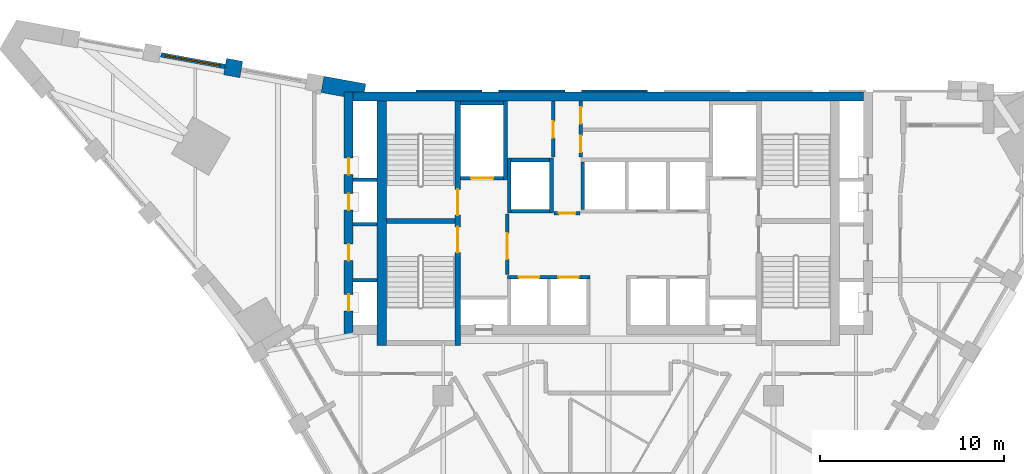
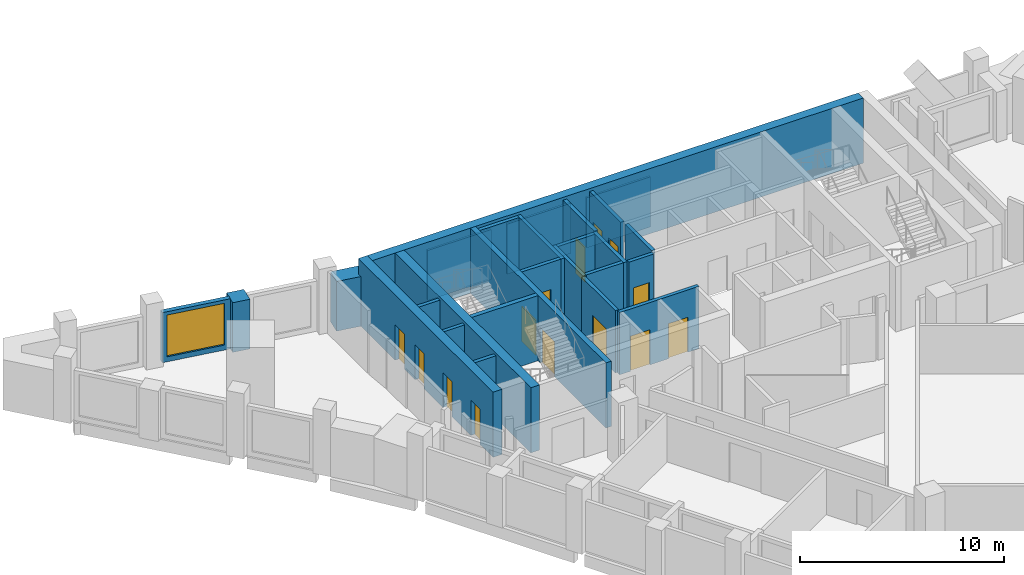
# One storey, part 6 of 9: 27 walls, 14 doors, 1 window, 15 openings.
"""IFC4 building model written with IfcOpenShell, lengths in metres."""

import ifcopenshell
import ifcopenshell.guid

model = None  # the IFC model being written
_history = None  # IfcOwnerHistory: only IFC2X3 demands one
_inside = {}  # id of a spatial element -> (the spatial element, [elements in it])
_under = {}  # id of a project, library or spatial element -> (it, [spatial elements below it])
_declared = {}  # id of a project -> (the project, [libraries it declares])
_typed = {}  # id of a type object -> (the type object, [elements of that type])
_made_of = {}  # id of a material, layer set ... -> (it, [elements and type objects made of it])


def new_model(schema):
    """Start an empty IFC model of exactly this schema.

    Asked for "IFC4X3", IfcOpenShell would pick the latest addendum, in which some entities
    have other attributes; the version numbers below select the first issue.
    IFC2X3 requires an IfcOwnerHistory on every rooted entity: one is made here for all.
    """
    global model, _history
    if schema == "IFC4X3":
        model = ifcopenshell.file(schema_version=(4, 3, 0, 0))
    else:
        model = ifcopenshell.file(schema=schema)
    _inside.clear()
    _under.clear()
    _declared.clear()
    _typed.clear()
    _made_of.clear()
    _history = None
    if model.schema == "IFC2X3":
        org = make("IfcOrganization", Name="unknown")
        user = make(
            "IfcPersonAndOrganization",
            ThePerson=make("IfcPerson", FamilyName="unknown"),
            TheOrganization=org,
        )
        app = make(
            "IfcApplication",
            ApplicationDeveloper=org,
            Version="unknown",
            ApplicationFullName="unknown",
            ApplicationIdentifier="unknown",
        )
        _history = make(
            "IfcOwnerHistory",
            OwningUser=user,
            OwningApplication=app,
            ChangeAction="ADDED",
            CreationDate=0,
        )
    return model


def make(cls, **values):
    """One entity of the class cls with the attributes given. An attribute that is None is left unset."""
    return model.create_entity(
        cls, **{name: value for name, value in values.items() if value is not None}
    )


def rooted(cls, **values):
    """An entity with a GlobalId (a new one), such as an element, a storey or a relation."""
    return make(cls, GlobalId=ifcopenshell.guid.new(), OwnerHistory=_history, **values)


def si_unit(unit_type, name, prefix=None):
    """IfcSIUnit, for example si_unit("LENGTHUNIT", "METRE", prefix="MILLI")."""
    return make("IfcSIUnit", UnitType=unit_type, Prefix=prefix, Name=name)


def assignment(units):
    """IfcUnitAssignment: the units of a project."""
    return None if units is None else make("IfcUnitAssignment", Units=units)


def point(xyz):
    """IfcCartesianPoint."""
    return None if xyz is None else make("IfcCartesianPoint", Coordinates=xyz)


def direction(xyz):
    """IfcDirection."""
    return None if xyz is None else make("IfcDirection", DirectionRatios=xyz)


def frame(location, z_axis=None, x_axis=None):
    """IfcAxis2Placement3D, a coordinate frame: its origin and axes. An axis left out is left unset."""
    return make(
        "IfcAxis2Placement3D",
        Location=point(location),
        Axis=direction(z_axis),
        RefDirection=direction(x_axis),
    )


def frame_2d(location, x_axis=None):
    """IfcAxis2Placement2D, a coordinate frame in the plane: its origin and x axis."""
    return make(
        "IfcAxis2Placement2D", Location=point(location), RefDirection=direction(x_axis)
    )


def origin():
    """The frame at (0, 0, 0) with its axes left unset."""
    return frame((0.0, 0.0, 0.0))


def place(relative_to, where):
    """IfcLocalPlacement: puts the frame where relative to a parent placement (None: the world)."""
    return make(
        "IfcLocalPlacement", PlacementRelTo=relative_to, RelativePlacement=where
    )


def context(
    kind, dimensions, precision=None, world=None, true_north=None, identifier=None
):
    """IfcGeometricRepresentationContext, for example the 3D "Model" context."""
    return make(
        "IfcGeometricRepresentationContext",
        ContextIdentifier=identifier,
        ContextType=kind,
        CoordinateSpaceDimension=dimensions,
        Precision=precision,
        WorldCoordinateSystem=world,
        TrueNorth=true_north,
    )


def subcontext(parent, identifier, kind, view, scale=None):
    """IfcGeometricRepresentationSubContext, for example "Body" below "Model"."""
    return make(
        "IfcGeometricRepresentationSubContext",
        ContextIdentifier=identifier,
        ContextType=kind,
        ParentContext=parent,
        TargetScale=scale,
        TargetView=view,
    )


def project(units=None, contexts=None):
    """IfcProject with its units and contexts."""
    return rooted(
        "IfcProject",
        Name="project",
        RepresentationContexts=contexts,
        UnitsInContext=assignment(units),
    )


def spatial(cls, under=None, at=None, **own):
    """A site, building, storey or space (cls), placed at a placement, below another one or the project."""
    s = rooted(cls, ObjectPlacement=at, **own)
    if under is not None:
        _under.setdefault(under.id(), (under, []))[1].append(s)
    return s


def polyline(points):
    """IfcPolyline through the points."""
    return make("IfcPolyline", Points=[point(p) for p in points])


def profile(cls, at=None, kind="AREA", **sizes):
    """A parametric profile (cls). Its sizes go by their IFC names, for example OverallWidth=200.0."""
    return make(cls, ProfileType=kind, Position=at, **sizes)


def rectangle(**sizes):
    """IfcRectangleProfileDef."""
    return profile("IfcRectangleProfileDef", **sizes)


def outline(outer, holes=None, kind="AREA"):
    """IfcArbitraryClosedProfileDef: a profile drawn as a closed curve; with holes, ...WithVoids."""
    if holes is None:
        return make("IfcArbitraryClosedProfileDef", ProfileType=kind, OuterCurve=outer)
    return make(
        "IfcArbitraryProfileDefWithVoids",
        ProfileType=kind,
        OuterCurve=outer,
        InnerCurves=holes,
    )


def extrude(swept, where, along, depth):
    """IfcExtrudedAreaSolid: the profile swept, set in the frame where, extruded along a direction by depth."""
    return make(
        "IfcExtrudedAreaSolid",
        SweptArea=swept,
        Position=where,
        ExtrudedDirection=direction(along),
        Depth=depth,
    )


def shape(context_of_items, identifier, shape_type, items):
    """IfcShapeRepresentation: the items that make up one representation, for example the "Body"."""
    return make(
        "IfcShapeRepresentation",
        ContextOfItems=context_of_items,
        RepresentationIdentifier=identifier,
        RepresentationType=shape_type,
        Items=items,
    )


def material(Name=None, Category=None):
    """IfcMaterial."""
    return make("IfcMaterial", Name=Name, Category=Category)


def layer(
    of_material, thickness, ventilated=None, Name=None, Category=None, Priority=None
):
    """IfcMaterialLayer: one layer of a wall or slab, of a material (None: an air gap)."""
    return make(
        "IfcMaterialLayer",
        Material=of_material,
        LayerThickness=thickness,
        IsVentilated=ventilated,
        Name=Name,
        Category=Category,
        Priority=Priority,
    )


def layer_set(layers, Name=None):
    """IfcMaterialLayerSet."""
    return make("IfcMaterialLayerSet", MaterialLayers=layers, LayerSetName=Name)


def made_of(thing, what):
    """Note that an element or type object is made of a material, layer set ...; save() writes the relation."""
    if what is not None:
        _made_of.setdefault(what.id(), (what, []))[1].append(thing)
    return thing


def type_object(cls, material=None, **own):
    """A type object (cls), such as IfcWallType, which elements share."""
    return made_of(rooted(cls, **own), material)


def element(
    cls,
    number,
    at=None,
    inside=None,
    cuts=None,
    type_object=None,
    material=None,
    context=None,
    identifier="Body",
    shape_type=None,
    held_by="IfcProductDefinitionShape",
    body=None,
    shapes=None,
    **own,
):
    """One element of the class cls, such as IfcWall. Its Tag is "e" and its number.

    at: its placement. inside: the storey or other place that contains it. cuts: it is an
    opening in that element (IfcRelVoidsElement). A single representation is given by context,
    identifier, shape_type and body (its items); several are given by shapes. held_by: the class
    of the entity that holds the representations. save() writes the other relations.
    """
    e = rooted(cls, Tag="e%d" % number, ObjectPlacement=at, **own)
    if body is not None:
        shapes = [shape(context, identifier, shape_type, body)]
    if shapes is not None:
        e.Representation = make(held_by, Representations=shapes)
    if inside is not None:
        _inside.setdefault(inside.id(), (inside, []))[1].append(e)
    if cuts is not None:
        rooted(
            "IfcRelVoidsElement", RelatingBuildingElement=cuts, RelatedOpeningElement=e
        )
    if type_object is not None:
        _typed.setdefault(type_object.id(), (type_object, []))[1].append(e)
    return made_of(e, material)


def fill(opening, filler):
    """IfcRelFillsElement: the door or window that sits in an opening."""
    return rooted(
        "IfcRelFillsElement",
        RelatingOpeningElement=opening,
        RelatedBuildingElement=filler,
    )


def aggregate(whole, parts):
    """IfcRelAggregates: a whole, such as a stair, and the parts it consists of."""
    return rooted("IfcRelAggregates", RelatingObject=whole, RelatedObjects=parts)


def save(model, path):
    """Write the relations noted so far, then the file.

    IfcRelAggregates (storeys below a building ...), IfcRelContainedInSpatialStructure (elements
    in a storey), IfcRelDefinesByType, IfcRelAssociatesMaterial and IfcRelDeclares: one each for
    every whole, place, type object, material and project.
    """
    for whole, parts in _under.values():
        aggregate(whole, parts)
    for where, things in _inside.values():
        rooted(
            "IfcRelContainedInSpatialStructure",
            RelatedElements=things,
            RelatingStructure=where,
        )
    for kind, things in _typed.values():
        rooted("IfcRelDefinesByType", RelatedObjects=things, RelatingType=kind)
    for what, things in _made_of.values():
        rooted("IfcRelAssociatesMaterial", RelatedObjects=things, RelatingMaterial=what)
    for by, libraries in _declared.values():
        rooted("IfcRelDeclares", RelatingContext=by, RelatedDefinitions=libraries)
    model.write(path)


model = new_model("IFC4")

# Units and contexts
model_context = context("Model", 3, precision=1e-05, world=origin(), true_north=direction((0.0, 1.0)))
body_context = subcontext(model_context, "Body", "Model", "MODEL_VIEW")
ifc_project = project(units=[si_unit("LENGTHUNIT", "METRE"), si_unit("AREAUNIT", "SQUARE_METRE"), si_unit("VOLUMEUNIT", "CUBIC_METRE"), si_unit("PLANEANGLEUNIT", "RADIAN"), si_unit("MASSUNIT", "GRAM", prefix="KILO")], contexts=[model_context])

# Site, building, storey
site_placement = place(None, origin())
site = spatial("IfcSite", under=ifc_project, at=site_placement, CompositionType="ELEMENT")
building_placement = place(site_placement, origin())
building = spatial("IfcBuilding", under=site, at=building_placement, Name="Calabash Gate Tower", CompositionType="ELEMENT")
storey_placement = place(building_placement, frame((0.0, 0.0, 235.39990234375)))
storey = spatial("IfcBuildingStorey", under=building, at=storey_placement, Name="L56", CompositionType="ELEMENT", Elevation=235.39990234375)

# Walls
ifc_material_1 = material(Name="Terracotta brick masonry, exposed face", Category="masonry")
ifc_layer_1 = layer(ifc_material_1, 0.89990234375)
ifc_layer_set_1 = layer_set([ifc_layer_1], Name="Brick end wall 900")
wall_type_1 = type_object("IfcWallType", Name="Brick end wall 900", PredefinedType="SOLIDWALL", material=ifc_layer_set_1)
wall_1_placement = place(storey_placement, frame((-20.52099609375, 19.91796875, 0.0), z_axis=(0.0, 0.0, 1.0), x_axis=(0.180126650564, 0.983643426124, 0.0)))
element("IfcWall", 1, at=wall_1_placement, inside=storey, type_object=wall_type_1, Name="Brick pier S16 wedge5.1", PredefinedType="SOLIDWALL", context=body_context, shape_type="SweptSolid", body=[
    extrude(rectangle(XDim=0.89990234375, YDim=0.89990234375, at=frame_2d((0.449951171875, 0.0))), origin(), (0.0, 0.0, 1.0), 2.9736328125),
])
wall_2_placement = place(storey_placement, origin())
element("IfcWall", 2, at=wall_2_placement, inside=storey, type_object=wall_type_1, Name="Brick end wall S16 1", PredefinedType="SOLIDWALL", context=body_context, shape_type="SweptSolid", body=[
    extrude(outline(polyline([(-15.651611328125, 19.02734375), (-15.65185546875, 19.027099609375), (-14.39990234375, 18.798095703125), (-14.39990234375, 19.052490234375), (-13.291015625, 19.052490234375), (-13.2099609375, 19.4951171875), (-15.489501953125, 19.912353515625), (-15.6513671875, 19.02734375), (-15.651611328125, 19.02734375)])), origin(), (0.0, 0.0, 1.0), 2.9736328125),
])
ifc_material_2 = material(Name="Concrete C70/85", Category="concrete")
ifc_layer_2 = layer(ifc_material_2, 0.25)
ifc_layer_set_2 = layer_set([ifc_layer_2], Name="Core wall 250 Concrete C70/85")
wall_type_2 = type_object("IfcWallType", Name="Core wall 250 Concrete C70/85", PredefinedType="SHEAR", material=ifc_layer_set_2)
wall_3_placement = place(storey_placement, frame((-12.10009765625, 12.027587890625, 0.0), z_axis=(0.0, 0.0, 1.0), x_axis=(1.0, 0.0, 0.0)))
element("IfcWall", 3, at=wall_3_placement, inside=storey, type_object=wall_type_2, Name="Core wall Z4-MIDW L56", PredefinedType="SHEAR", context=body_context, shape_type="SweptSolid", body=[
    extrude(rectangle(XDim=3.75, YDim=0.25, at=frame_2d((1.875, 0.0))), origin(), (0.0, 0.0, 1.0), 3.900146484375),
])

# Wall, openings, doors
ifc_material_3 = material(Name="Concrete C70/85", Category="concrete")
ifc_layer_3 = layer(ifc_material_3, 0.300048828125)
ifc_layer_set_3 = layer_set([ifc_layer_3], Name="Core wall 300 Concrete C70/85")
wall_type_3 = type_object("IfcWallType", Name="Core wall 300 Concrete C70/85", PredefinedType="SHEAR", material=ifc_layer_set_3)
wall_4_placement = place(storey_placement, frame((-8.199951171875, 5.252685546875, 0.0), z_axis=(0.0, 0.0, 1.0), x_axis=(0.0, 1.0, 0.0)))
wall_4 = element("IfcWall", 4, at=wall_4_placement, inside=storey, type_object=wall_type_3, Name="Core wall Z4-PARTW L56", PredefinedType="SHEAR", context=body_context, shape_type="SweptSolid", body=[
    extrude(rectangle(XDim=13.2998046875, YDim=0.300048828125, at=frame_2d((6.64990234375, 0.0))), origin(), (0.0, 0.0, 1.0), 3.900146484375),
])
opening_1_placement = place(wall_4_placement, frame((7.10009765625, 0.0, 0.0)))
opening_1 = element("IfcOpeningElement", 5, at=opening_1_placement, cuts=wall_4, Name="Opening O8-017", PredefinedType="OPENING", context=body_context, shape_type="SweptSolid", body=[
    extrude(rectangle(XDim=1.39990234375, YDim=2.10009765625, at=frame_2d((0.699951171875, 1.050048828125))), frame((0.0, 0.159912109375, 0.0), z_axis=(0.0, -1.0, 0.0), x_axis=(1.0, 0.0, 0.0)), (0.0, 0.0, 1.0), 0.320068359375),
])
opening_2_placement = place(wall_4_placement, frame((5.050048828125, 0.0, 0.0)))
opening_2 = element("IfcOpeningElement", 6, at=opening_2_placement, cuts=wall_4, Name="Opening O8-018", PredefinedType="OPENING", context=body_context, shape_type="SweptSolid", body=[
    extrude(rectangle(XDim=1.39990234375, YDim=2.10009765625, at=frame_2d((0.699951171875, 1.050048828125))), frame((0.0, 0.159912109375, 0.0), z_axis=(0.0, -1.0, 0.0), x_axis=(1.0, 0.0, 0.0)), (0.0, 0.0, 1.0), 0.320068359375),
])
ifc_material_4 = material(Name="Steel fire door set with fire-resisting glazing", Category="steel")
door_type_1 = type_object("IfcDoorType", Name="Fire door D05 1400x2100 FD90", OperationType="NOTDEFINED", PredefinedType="DOOR", material=ifc_material_4)
door_1_placement = place(opening_1_placement, origin())
door_1 = element("IfcDoor", 7, at=door_1_placement, inside=storey, type_object=door_type_1, Name="Exit stair door ST1", OperationType="SINGLE_SWING_LEFT", OverallHeight=2.10009765625, OverallWidth=1.39990234375, PredefinedType="DOOR", context=body_context, shape_type="SweptSolid", body=[
    extrude(rectangle(XDim=1.39990234375, YDim=2.10009765625, at=frame_2d((0.699951171875, 1.050048828125))), frame((0.0, 0.02490234375, 0.0), z_axis=(0.0, -1.0, 0.0), x_axis=(1.0, 0.0, 0.0)), (0.0, 0.0, 1.0), 0.050048828125),
])
fill(opening_1, door_1)
door_2_placement = place(opening_2_placement, origin())
door_2 = element("IfcDoor", 8, at=door_2_placement, inside=storey, type_object=door_type_1, Name="Exit stair door ST2", OperationType="SINGLE_SWING_LEFT", OverallHeight=2.10009765625, OverallWidth=1.39990234375, PredefinedType="DOOR", context=body_context, shape_type="SweptSolid", body=[
    extrude(rectangle(XDim=1.39990234375, YDim=2.10009765625, at=frame_2d((0.699951171875, 1.050048828125))), frame((0.0, 0.02490234375, 0.0), z_axis=(0.0, -1.0, 0.0), x_axis=(1.0, 0.0, 0.0)), (0.0, 0.0, 1.0), 0.050048828125),
])
fill(opening_2, door_2)

# Walls
ifc_material_5 = material(Name="Concrete C70/85", Category="concrete")
ifc_layer_4 = layer(ifc_material_5, 0.5)
ifc_layer_set_4 = layer_set([ifc_layer_4], Name="Core wall 500 Concrete C70/85")
wall_type_4 = type_object("IfcWallType", Name="Core wall 500 Concrete C70/85", PredefinedType="SHEAR", material=ifc_layer_set_4)
wall_5_placement = place(storey_placement, frame((-13.89990234375, 18.802490234375, 0.0), z_axis=(0.0, 0.0, 1.0), x_axis=(1.0, 0.0, 0.0)))
element("IfcWall", 9, at=wall_5_placement, inside=storey, type_object=wall_type_4, Name="Core wall Z4-N L56", PredefinedType="SHEAR", context=body_context, shape_type="SweptSolid", body=[
    extrude(rectangle(XDim=27.7998046875, YDim=0.5, at=frame_2d((13.89990234375, 0.0))), origin(), (0.0, 0.0, 1.0), 3.900146484375),
])
wall_6_placement = place(storey_placement, frame((-12.35009765625, 5.252685546875, 0.0), z_axis=(0.0, 0.0, 1.0), x_axis=(0.0, 1.0, 0.0)))
element("IfcWall", 10, at=wall_6_placement, inside=storey, type_object=wall_type_4, Name="Core wall Z4-COLW L56", PredefinedType="SHEAR", context=body_context, shape_type="SweptSolid", body=[
    extrude(rectangle(XDim=13.2998046875, YDim=0.5, at=frame_2d((6.64990234375, 0.0))), origin(), (0.0, 0.0, 1.0), 3.900146484375),
])

# Wall, openings, doors
wall_7_placement = place(storey_placement, frame((-14.14990234375, 5.8525390625, 0.0), z_axis=(0.0, 0.0, 1.0), x_axis=(0.0, 1.0, 0.0)))
wall_7 = element("IfcWall", 11, at=wall_7_placement, inside=storey, type_object=wall_type_4, Name="Core wall Z4-ENDW L56", PredefinedType="SHEAR", context=body_context, shape_type="SweptSolid", body=[
    extrude(rectangle(XDim=13.199951171875, YDim=0.5, at=frame_2d((6.60009765625, 0.0))), origin(), (0.0, 0.0, 1.0), 3.900146484375),
])
opening_3_placement = place(wall_7_placement, frame((1.27001953125, 0.0, 0.0)))
opening_3 = element("IfcOpeningElement", 12, at=opening_3_placement, cuts=wall_7, Name="Opening O8-005", PredefinedType="OPENING", context=body_context, shape_type="SweptSolid", body=[
    extrude(rectangle(XDim=0.89990234375, YDim=2.10009765625, at=frame_2d((0.449951171875, 1.050048828125))), frame((0.0, 0.260009765625, 0.0), z_axis=(0.0, -1.0, 0.0), x_axis=(1.0, 0.0, 0.0)), (0.0, 0.0, 1.0), 0.52001953125),
])
opening_4_placement = place(wall_7_placement, frame((4.014892578125, 0.0, 0.0)))
opening_4 = element("IfcOpeningElement", 13, at=opening_4_placement, cuts=wall_7, Name="Opening O8-006", PredefinedType="OPENING", context=body_context, shape_type="SweptSolid", body=[
    extrude(rectangle(XDim=0.89990234375, YDim=2.10009765625, at=frame_2d((0.449951171875, 1.050048828125))), frame((0.0, 0.260009765625, 0.0), z_axis=(0.0, -1.0, 0.0), x_axis=(1.0, 0.0, 0.0)), (0.0, 0.0, 1.0), 0.52001953125),
])
opening_5_placement = place(wall_7_placement, frame((6.760009765625, 0.0, 0.0)))
opening_5 = element("IfcOpeningElement", 14, at=opening_5_placement, cuts=wall_7, Name="Opening O8-007", PredefinedType="OPENING", context=body_context, shape_type="SweptSolid", body=[
    extrude(rectangle(XDim=0.89990234375, YDim=2.10009765625, at=frame_2d((0.449951171875, 1.050048828125))), frame((0.0, 0.260009765625, 0.0), z_axis=(0.0, -1.0, 0.0), x_axis=(1.0, 0.0, 0.0)), (0.0, 0.0, 1.0), 0.52001953125),
])
opening_6_placement = place(wall_7_placement, frame((8.697509765625, 0.0, 0.0)))
opening_6 = element("IfcOpeningElement", 15, at=opening_6_placement, cuts=wall_7, Name="Opening O8-008", PredefinedType="OPENING", context=body_context, shape_type="SweptSolid", body=[
    extrude(rectangle(XDim=0.89990234375, YDim=2.10009765625, at=frame_2d((0.449951171875, 1.050048828125))), frame((0.0, 0.260009765625, 0.0), z_axis=(0.0, -1.0, 0.0), x_axis=(1.0, 0.0, 0.0)), (0.0, 0.0, 1.0), 0.52001953125),
])
ifc_material_6 = material(Name="Steel fire door set with fire-resisting glazing", Category="steel")
door_type_2 = type_object("IfcDoorType", Name="Fire door D06 900x2100 FD60", OperationType="NOTDEFINED", PredefinedType="DOOR", material=ifc_material_6)
door_3_placement = place(opening_3_placement, origin())
door_3 = element("IfcDoor", 16, at=door_3_placement, inside=storey, type_object=door_type_2, Name="Comms Riser door", OperationType="SINGLE_SWING_LEFT", OverallHeight=2.10009765625, OverallWidth=0.89990234375, PredefinedType="DOOR", context=body_context, shape_type="SweptSolid", body=[
    extrude(rectangle(XDim=0.89990234375, YDim=2.10009765625, at=frame_2d((0.449951171875, 1.050048828125))), frame((0.0, 0.02490234375, 0.0), z_axis=(0.0, -1.0, 0.0), x_axis=(1.0, 0.0, 0.0)), (0.0, 0.0, 1.0), 0.050048828125),
])
fill(opening_3, door_3)
door_4_placement = place(opening_4_placement, origin())
door_4 = element("IfcDoor", 17, at=door_4_placement, inside=storey, type_object=door_type_2, Name="Cleaner's Store door", OperationType="SINGLE_SWING_LEFT", OverallHeight=2.10009765625, OverallWidth=0.89990234375, PredefinedType="DOOR", context=body_context, shape_type="SweptSolid", body=[
    extrude(rectangle(XDim=0.89990234375, YDim=2.10009765625, at=frame_2d((0.449951171875, 1.050048828125))), frame((0.0, 0.02490234375, 0.0), z_axis=(0.0, -1.0, 0.0), x_axis=(1.0, 0.0, 0.0)), (0.0, 0.0, 1.0), 0.050048828125),
])
fill(opening_4, door_4)
door_5_placement = place(opening_5_placement, origin())
door_5 = element("IfcDoor", 18, at=door_5_placement, inside=storey, type_object=door_type_2, Name="Duct Riser door", OperationType="SINGLE_SWING_LEFT", OverallHeight=2.10009765625, OverallWidth=0.89990234375, PredefinedType="DOOR", context=body_context, shape_type="SweptSolid", body=[
    extrude(rectangle(XDim=0.89990234375, YDim=2.10009765625, at=frame_2d((0.449951171875, 1.050048828125))), frame((0.0, 0.02490234375, 0.0), z_axis=(0.0, -1.0, 0.0), x_axis=(1.0, 0.0, 0.0)), (0.0, 0.0, 1.0), 0.050048828125),
])
fill(opening_5, door_5)
door_6_placement = place(opening_6_placement, origin())
door_6 = element("IfcDoor", 19, at=door_6_placement, inside=storey, type_object=door_type_2, Name="Electrical Riser door", OperationType="SINGLE_SWING_LEFT", OverallHeight=2.10009765625, OverallWidth=0.89990234375, PredefinedType="DOOR", context=body_context, shape_type="SweptSolid", body=[
    extrude(rectangle(XDim=0.89990234375, YDim=2.10009765625, at=frame_2d((0.449951171875, 1.050048828125))), frame((0.0, 0.02490234375, 0.0), z_axis=(0.0, -1.0, 0.0), x_axis=(1.0, 0.0, 0.0)), (0.0, 0.0, 1.0), 0.050048828125),
])
fill(opening_6, door_6)

# Wall, opening, window
ifc_material_7 = material(Name="Aluminium framed window wall with insulated spandrel", Category="aluminium")
ifc_layer_5 = layer(ifc_material_7, 0.25)
ifc_layer_set_5 = layer_set([ifc_layer_5], Name="Prow window wall 250")
wall_type_5 = type_object("IfcWallType", Name="Prow window wall 250", PredefinedType="ELEMENTEDWALL", material=ifc_layer_set_5)
wall_8_placement = place(storey_placement, frame((-20.880615234375, 20.441162109375, 0.0), z_axis=(0.0, 0.0, 1.0), x_axis=(-0.98366583261, 0.180004249274, 0.0)))
wall_8 = element("IfcWall", 20, at=wall_8_placement, inside=storey, type_object=wall_type_5, Name="Prow window wall S16 wedge5.2", PredefinedType="ELEMENTEDWALL", context=body_context, shape_type="SweptSolid", body=[
    extrude(rectangle(XDim=3.55224609375, YDim=0.25, at=frame_2d((1.776123046875, 0.0))), origin(), (0.0, 0.0, 1.0), 3.0),
])
opening_7_placement = place(wall_8_placement, frame((0.302001953125, 0.0, 0.300048828125)))
opening_7 = element("IfcOpeningElement", 21, at=opening_7_placement, cuts=wall_8, Name="Opening WP2", PredefinedType="OPENING", context=body_context, shape_type="SweptSolid", body=[
    extrude(rectangle(XDim=3.0, YDim=2.5, at=frame_2d((1.5, 1.25))), frame((0.0, 0.135009765625, 0.0), z_axis=(0.0, -1.0, 0.0), x_axis=(1.0, 0.0, 0.0)), (0.0, 0.0, 1.0), 0.27001953125),
])
ifc_material_8 = material(Name="Anodised aluminium frame, bronze finish, impact-rated laminated clear glazing", Category="aluminium")
window_type = type_object("IfcWindowType", Name="Window WP2 3000x2500", PartitioningType="DOUBLE_PANEL_VERTICAL", PredefinedType="WINDOW", material=ifc_material_8)
window_placement = place(opening_7_placement, origin())
window = element("IfcWindow", 22, at=window_placement, inside=storey, type_object=window_type, Name="Prow window WP2 S16 wedge5.2", OverallHeight=2.5, OverallWidth=3.0, PartitioningType="SINGLE_PANEL", PredefinedType="WINDOW", context=body_context, shape_type="SweptSolid", body=[
    extrude(rectangle(XDim=3.0, YDim=2.5, at=frame_2d((1.5, 1.25))), frame((0.0, 0.030029296875, 0.0), z_axis=(0.0, -1.0, 0.0), x_axis=(1.0, 0.0, 0.0)), (0.0, 0.0, 1.0), 0.06005859375),
])
fill(opening_7, window)

# Wall
ifc_material_9 = material(Name="Concrete C40/50", Category="concrete")
ifc_layer_6 = layer(ifc_material_9, 0.199951171875)
ifc_layer_set_6 = layer_set([ifc_layer_6], Name="Shaft wall 200 Concrete C40/50")
wall_type_6 = type_object("IfcWallType", Name="Shaft wall 200 Concrete C40/50", PredefinedType="SOLIDWALL", material=ifc_layer_set_6)
wall_9_placement = place(storey_placement, frame((-13.89990234375, 8.79248046875, 0.0), z_axis=(0.0, 0.0, 1.0), x_axis=(1.0, 0.0, 0.0)))
element("IfcWall", 23, at=wall_9_placement, inside=storey, type_object=wall_type_6, Name="Shaft wall", PredefinedType="SOLIDWALL", context=body_context, shape_type="SweptSolid", body=[
    extrude(rectangle(XDim=1.2998046875, YDim=0.199951171875, at=frame_2d((0.64990234375, 0.0))), origin(), (0.0, 0.0, 1.0), 3.72998046875),
])

# Wall, openings, doors
wall_10_placement = place(storey_placement, frame((-5.5, 8.95263671875, 0.0), z_axis=(0.0, 0.0, 1.0), x_axis=(1.0, 0.0, 0.0)))
wall_10 = element("IfcWall", 24, at=wall_10_placement, inside=storey, type_object=wall_type_6, Name="Shaft wall", PredefinedType="SOLIDWALL", context=body_context, shape_type="SweptSolid", body=[
    extrude(rectangle(XDim=4.5, YDim=0.199951171875, at=frame_2d((2.25, 0.0))), origin(), (0.0, 0.0, 1.0), 3.72998046875),
])
opening_8_placement = place(wall_10_placement, frame((0.625, 0.0, 0.0)))
opening_8 = element("IfcOpeningElement", 25, at=opening_8_placement, cuts=wall_10, Name="Opening LD-HR1", PredefinedType="OPENING", context=body_context, shape_type="SweptSolid", body=[
    extrude(rectangle(XDim=1.10009765625, YDim=2.10009765625, at=frame_2d((0.550048828125, 1.050048828125))), frame((0.0, 0.10986328125, 0.0), z_axis=(0.0, -1.0, 0.0), x_axis=(1.0, 0.0, 0.0)), (0.0, 0.0, 1.0), 0.219970703125),
])
opening_9_placement = place(wall_10_placement, frame((2.77490234375, 0.0, 0.0)))
opening_9 = element("IfcOpeningElement", 26, at=opening_9_placement, cuts=wall_10, Name="Opening LD-HR2", PredefinedType="OPENING", context=body_context, shape_type="SweptSolid", body=[
    extrude(rectangle(XDim=1.10009765625, YDim=2.10009765625, at=frame_2d((0.550048828125, 1.050048828125))), frame((0.0, 0.10986328125, 0.0), z_axis=(0.0, -1.0, 0.0), x_axis=(1.0, 0.0, 0.0)), (0.0, 0.0, 1.0), 0.219970703125),
])
ifc_material_10 = material(Name="Stainless steel sliding door leaves", Category="steel")
door_type_3 = type_object("IfcDoorType", Name="Lift landing door LS1 1100x2100 FD90", OperationType="DOUBLE_DOOR_SLIDING", PredefinedType="DOOR", material=ifc_material_10)
door_7_placement = place(opening_8_placement, origin())
door_7 = element("IfcDoor", 27, at=door_7_placement, inside=storey, type_object=door_type_3, Name="Lift landing door HR1", OperationType="DOUBLE_DOOR_SLIDING", OverallHeight=2.10009765625, OverallWidth=1.10009765625, PredefinedType="DOOR", context=body_context, shape_type="SweptSolid", body=[
    extrude(rectangle(XDim=1.10009765625, YDim=2.10009765625, at=frame_2d((0.550048828125, 1.050048828125))), frame((0.0, 0.02490234375, 0.0), z_axis=(0.0, -1.0, 0.0), x_axis=(1.0, 0.0, 0.0)), (0.0, 0.0, 1.0), 0.050048828125),
])
fill(opening_8, door_7)
door_8_placement = place(opening_9_placement, origin())
door_8 = element("IfcDoor", 28, at=door_8_placement, inside=storey, type_object=door_type_3, Name="Lift landing door HR2", OperationType="DOUBLE_DOOR_SLIDING", OverallHeight=2.10009765625, OverallWidth=1.10009765625, PredefinedType="DOOR", context=body_context, shape_type="SweptSolid", body=[
    extrude(rectangle(XDim=1.10009765625, YDim=2.10009765625, at=frame_2d((0.550048828125, 1.050048828125))), frame((0.0, 0.02490234375, 0.0), z_axis=(0.0, -1.0, 0.0), x_axis=(1.0, 0.0, 0.0)), (0.0, 0.0, 1.0), 0.050048828125),
])
fill(opening_9, door_8)

# Wall, opening, door
wall_11_placement = place(storey_placement, frame((-5.5, 9.1025390625, 0.0), z_axis=(0.0, 0.0, 1.0), x_axis=(0.0, 1.0, 0.0)))
wall_11 = element("IfcWall", 29, at=wall_11_placement, inside=storey, type_object=wall_type_6, Name="Shaft wall", PredefinedType="SOLIDWALL", context=body_context, shape_type="SweptSolid", body=[
    extrude(rectangle(XDim=3.300048828125, YDim=0.199951171875, at=frame_2d((1.64990234375, 0.0))), origin(), (0.0, 0.0, 1.0), 3.72998046875),
])
opening_10_placement = place(wall_11_placement, frame((0.85009765625, 0.0, 0.0)))
opening_10 = element("IfcOpeningElement", 30, at=opening_10_placement, cuts=wall_11, Name="Opening O8-011", PredefinedType="OPENING", context=body_context, shape_type="SweptSolid", body=[
    extrude(rectangle(XDim=1.39990234375, YDim=2.10009765625, at=frame_2d((0.699951171875, 1.050048828125))), frame((0.0, 0.10986328125, 0.0), z_axis=(0.0, -1.0, 0.0), x_axis=(1.0, 0.0, 0.0)), (0.0, 0.0, 1.0), 0.219970703125),
])
door_9_placement = place(opening_10_placement, origin())
door_9 = element("IfcDoor", 31, at=door_9_placement, inside=storey, type_object=door_type_1, Name="Firefighting Lobby W door", OperationType="SINGLE_SWING_RIGHT", OverallHeight=2.10009765625, OverallWidth=1.39990234375, PredefinedType="DOOR", context=body_context, shape_type="SweptSolid", body=[
    extrude(rectangle(XDim=1.39990234375, YDim=2.10009765625, at=frame_2d((0.699951171875, 1.050048828125))), frame((0.0, 0.02490234375, 0.0), z_axis=(0.0, -1.0, 0.0), x_axis=(1.0, 0.0, 0.0)), (0.0, 0.0, 1.0), 0.050048828125),
])
fill(opening_10, door_9)

# Wall
wall_12_placement = place(storey_placement, frame((-13.89990234375, 11.842529296875, 0.0), z_axis=(0.0, 0.0, 1.0), x_axis=(1.0, 0.0, 0.0)))
element("IfcWall", 32, at=wall_12_placement, inside=storey, type_object=wall_type_6, Name="Shaft wall", PredefinedType="SOLIDWALL", context=body_context, shape_type="SweptSolid", body=[
    extrude(rectangle(XDim=1.2998046875, YDim=0.199951171875, at=frame_2d((0.64990234375, 0.0))), origin(), (0.0, 0.0, 1.0), 3.72998046875),
])

# Wall, opening, door
wall_13_placement = place(storey_placement, frame((-2.949951171875, 12.45263671875, 0.0), z_axis=(0.0, 0.0, 1.0), x_axis=(1.0, 0.0, 0.0)))
wall_13 = element("IfcWall", 33, at=wall_13_placement, inside=storey, type_object=wall_type_6, Name="Shaft wall", PredefinedType="SOLIDWALL", context=body_context, shape_type="SweptSolid", body=[
    extrude(rectangle(XDim=1.39990234375, YDim=0.199951171875, at=frame_2d((0.699951171875, 0.0))), origin(), (0.0, 0.0, 1.0), 3.72998046875),
])
opening_11_placement = place(wall_13_placement, frame((0.25, 0.0, 0.0)))
opening_11 = element("IfcOpeningElement", 34, at=opening_11_placement, cuts=wall_13, Name="Opening O8-009", PredefinedType="OPENING", context=body_context, shape_type="SweptSolid", body=[
    extrude(rectangle(XDim=0.89990234375, YDim=2.10009765625, at=frame_2d((0.449951171875, 1.050048828125))), frame((0.0, 0.10986328125, 0.0), z_axis=(0.0, -1.0, 0.0), x_axis=(1.0, 0.0, 0.0)), (0.0, 0.0, 1.0), 0.219970703125),
])
door_10_placement = place(opening_11_placement, origin())
door_10 = element("IfcDoor", 35, at=door_10_placement, inside=storey, type_object=door_type_2, Name="Service Corridor door", OperationType="SINGLE_SWING_RIGHT", OverallHeight=2.10009765625, OverallWidth=0.89990234375, PredefinedType="DOOR", context=body_context, shape_type="SweptSolid", body=[
    extrude(rectangle(XDim=0.89990234375, YDim=2.10009765625, at=frame_2d((0.449951171875, 1.050048828125))), frame((0.0, 0.02490234375, 0.0), z_axis=(0.0, -1.0, 0.0), x_axis=(1.0, 0.0, 0.0)), (0.0, 0.0, 1.0), 0.050048828125),
])
fill(opening_11, door_10)

# Walls
wall_14_placement = place(storey_placement, frame((-5.39990234375, 12.45263671875, 0.0), z_axis=(0.0, 0.0, 1.0), x_axis=(0.0, 1.0, 0.0)))
element("IfcWall", 36, at=wall_14_placement, inside=storey, type_object=wall_type_6, Name="Shaft wall", PredefinedType="SOLIDWALL", context=body_context, shape_type="SweptSolid", body=[
    extrude(rectangle(XDim=3.0, YDim=0.199951171875, at=frame_2d((1.5, 0.0))), origin(), (0.0, 0.0, 1.0), 3.72998046875),
])
wall_15_placement = place(storey_placement, frame((-5.300048828125, 12.552490234375, 0.0), z_axis=(0.0, 0.0, 1.0), x_axis=(1.0, 0.0, 0.0)))
element("IfcWall", 37, at=wall_15_placement, inside=storey, type_object=wall_type_6, Name="Shaft wall", PredefinedType="SOLIDWALL", context=body_context, shape_type="SweptSolid", body=[
    extrude(rectangle(XDim=2.10009765625, YDim=0.199951171875, at=frame_2d((1.050048828125, 0.0))), origin(), (0.0, 0.0, 1.0), 3.72998046875),
])
wall_16_placement = place(storey_placement, frame((-3.10009765625, 12.45263671875, 0.0), z_axis=(0.0, 0.0, 1.0), x_axis=(0.0, 1.0, 0.0)))
element("IfcWall", 38, at=wall_16_placement, inside=storey, type_object=wall_type_6, Name="Shaft wall", PredefinedType="SOLIDWALL", context=body_context, shape_type="SweptSolid", body=[
    extrude(rectangle(XDim=3.0, YDim=0.199951171875, at=frame_2d((1.5, 0.0))), origin(), (0.0, 0.0, 1.0), 3.72998046875),
])
wall_17_placement = place(storey_placement, frame((-1.39990234375, 12.652587890625, 0.0), z_axis=(0.0, 0.0, 1.0), x_axis=(0.0, 1.0, 0.0)))
element("IfcWall", 39, at=wall_17_placement, inside=storey, type_object=wall_type_6, Name="Shaft wall", PredefinedType="SOLIDWALL", context=body_context, shape_type="SweptSolid", body=[
    extrude(rectangle(XDim=2.60009765625, YDim=0.199951171875, at=frame_2d((1.300048828125, 0.0))), origin(), (0.0, 0.0, 1.0), 3.72998046875),
])
wall_18_placement = place(storey_placement, frame((-13.89990234375, 14.28271484375, 0.0), z_axis=(0.0, 0.0, 1.0), x_axis=(1.0, 0.0, 0.0)))
element("IfcWall", 40, at=wall_18_placement, inside=storey, type_object=wall_type_6, Name="Shaft wall", PredefinedType="SOLIDWALL", context=body_context, shape_type="SweptSolid", body=[
    extrude(rectangle(XDim=1.2998046875, YDim=0.199951171875, at=frame_2d((0.64990234375, 0.0))), origin(), (0.0, 0.0, 1.0), 3.72998046875),
])

# Wall, opening, door
wall_19_placement = place(storey_placement, frame((-8.050048828125, 14.3525390625, 0.0), z_axis=(0.0, 0.0, 1.0), x_axis=(1.0, 0.0, 0.0)))
wall_19 = element("IfcWall", 41, at=wall_19_placement, inside=storey, type_object=wall_type_6, Name="Shaft wall", PredefinedType="SOLIDWALL", context=body_context, shape_type="SweptSolid", body=[
    extrude(rectangle(XDim=2.35009765625, YDim=0.199951171875, at=frame_2d((1.175048828125, 0.0))), origin(), (0.0, 0.0, 1.0), 3.72998046875),
])
opening_12_placement = place(wall_19_placement, frame((0.574951171875, 0.0, 0.0)))
opening_12 = element("IfcOpeningElement", 42, at=opening_12_placement, cuts=wall_19, Name="Opening LD-FF1", PredefinedType="OPENING", context=body_context, shape_type="SweptSolid", body=[
    extrude(rectangle(XDim=1.199951171875, YDim=2.10009765625, at=frame_2d((0.60009765625, 1.050048828125))), frame((0.0, 0.10986328125, 0.0), z_axis=(0.0, -1.0, 0.0), x_axis=(1.0, 0.0, 0.0)), (0.0, 0.0, 1.0), 0.219970703125),
])
ifc_material_11 = material(Name="Stainless steel sliding door leaves", Category="steel")
door_type_4 = type_object("IfcDoorType", Name="Lift landing door LS3 1200x2100 FD90", OperationType="DOUBLE_DOOR_SLIDING", PredefinedType="DOOR", material=ifc_material_11)
door_11_placement = place(opening_12_placement, origin())
door_11 = element("IfcDoor", 43, at=door_11_placement, inside=storey, type_object=door_type_4, Name="Lift landing door FF1", OperationType="DOUBLE_DOOR_SLIDING", OverallHeight=2.10009765625, OverallWidth=1.199951171875, PredefinedType="DOOR", context=body_context, shape_type="SweptSolid", body=[
    extrude(rectangle(XDim=1.199951171875, YDim=2.10009765625, at=frame_2d((0.60009765625, 1.050048828125))), frame((0.0, 0.02490234375, 0.0), z_axis=(0.0, -1.0, 0.0), x_axis=(1.0, 0.0, 0.0)), (0.0, 0.0, 1.0), 0.050048828125),
])
fill(opening_12, door_11)

# Walls
wall_20_placement = place(storey_placement, frame((-5.60009765625, 14.252685546875, 0.0), z_axis=(0.0, 0.0, 1.0), x_axis=(0.0, 1.0, 0.0)))
element("IfcWall", 44, at=wall_20_placement, inside=storey, type_object=wall_type_6, Name="Shaft wall", PredefinedType="SOLIDWALL", context=body_context, shape_type="SweptSolid", body=[
    extrude(rectangle(XDim=4.2998046875, YDim=0.199951171875, at=frame_2d((2.14990234375, 0.0))), origin(), (0.0, 0.0, 1.0), 3.72998046875),
])
wall_21_placement = place(storey_placement, frame((-5.300048828125, 15.3525390625, 0.0), z_axis=(0.0, 0.0, 1.0), x_axis=(1.0, 0.0, 0.0)))
element("IfcWall", 45, at=wall_21_placement, inside=storey, type_object=wall_type_6, Name="Shaft wall", PredefinedType="SOLIDWALL", context=body_context, shape_type="SweptSolid", body=[
    extrude(rectangle(XDim=2.10009765625, YDim=0.199951171875, at=frame_2d((1.050048828125, 0.0))), origin(), (0.0, 0.0, 1.0), 3.72998046875),
])

# Wall, opening, door
wall_22_placement = place(storey_placement, frame((-3.0, 15.502685546875, 0.0), z_axis=(0.0, 0.0, 1.0), x_axis=(0.0, 1.0, 0.0)))
wall_22 = element("IfcWall", 46, at=wall_22_placement, inside=storey, type_object=wall_type_6, Name="Shaft wall", PredefinedType="SOLIDWALL", context=body_context, shape_type="SweptSolid", body=[
    extrude(rectangle(XDim=3.0498046875, YDim=0.199951171875, at=frame_2d((1.52490234375, 0.0))), origin(), (0.0, 0.0, 1.0), 3.72998046875),
])
opening_13_placement = place(wall_22_placement, frame((1.050048828125, 0.0, 0.0)))
opening_13 = element("IfcOpeningElement", 47, at=opening_13_placement, cuts=wall_22, Name="Opening O8-012", PredefinedType="OPENING", context=body_context, shape_type="SweptSolid", body=[
    extrude(rectangle(XDim=0.89990234375, YDim=2.10009765625, at=frame_2d((0.449951171875, 1.050048828125))), frame((0.0, 0.10986328125, 0.0), z_axis=(0.0, -1.0, 0.0), x_axis=(1.0, 0.0, 0.0)), (0.0, 0.0, 1.0), 0.219970703125),
])
door_12_placement = place(opening_13_placement, origin())
door_12 = element("IfcDoor", 48, at=door_12_placement, inside=storey, type_object=door_type_2, Name="Accessible WC door", OperationType="SINGLE_SWING_LEFT", OverallHeight=2.10009765625, OverallWidth=0.89990234375, PredefinedType="DOOR", context=body_context, shape_type="SweptSolid", body=[
    extrude(rectangle(XDim=0.89990234375, YDim=2.10009765625, at=frame_2d((0.449951171875, 1.050048828125))), frame((0.0, 0.02490234375, 0.0), z_axis=(0.0, -1.0, 0.0), x_axis=(1.0, 0.0, 0.0)), (0.0, 0.0, 1.0), 0.050048828125),
])
fill(opening_13, door_12)

# Wall, openings, doors
wall_23_placement = place(storey_placement, frame((-1.5, 15.502685546875, 0.0), z_axis=(0.0, 0.0, 1.0), x_axis=(0.0, 1.0, 0.0)))
wall_23 = element("IfcWall", 49, at=wall_23_placement, inside=storey, type_object=wall_type_6, Name="Shaft wall", PredefinedType="SOLIDWALL", context=body_context, shape_type="SweptSolid", body=[
    extrude(rectangle(XDim=3.0498046875, YDim=0.199951171875, at=frame_2d((1.52490234375, 0.0))), origin(), (0.0, 0.0, 1.0), 3.72998046875),
])
opening_14_placement = place(wall_23_placement, frame((0.27490234375, 0.0, 0.0)))
opening_14 = element("IfcOpeningElement", 50, at=opening_14_placement, cuts=wall_23, Name="Opening O8-013", PredefinedType="OPENING", context=body_context, shape_type="SweptSolid", body=[
    extrude(rectangle(XDim=0.89990234375, YDim=2.10009765625, at=frame_2d((0.449951171875, 1.050048828125))), frame((0.0, 0.10986328125, 0.0), z_axis=(0.0, -1.0, 0.0), x_axis=(1.0, 0.0, 0.0)), (0.0, 0.0, 1.0), 0.219970703125),
])
opening_15_placement = place(wall_23_placement, frame((1.824951171875, 0.0, 0.0)))
opening_15 = element("IfcOpeningElement", 51, at=opening_15_placement, cuts=wall_23, Name="Opening O8-014", PredefinedType="OPENING", context=body_context, shape_type="SweptSolid", body=[
    extrude(rectangle(XDim=0.89990234375, YDim=2.10009765625, at=frame_2d((0.449951171875, 1.050048828125))), frame((0.0, 0.10986328125, 0.0), z_axis=(0.0, -1.0, 0.0), x_axis=(1.0, 0.0, 0.0)), (0.0, 0.0, 1.0), 0.219970703125),
])
door_13_placement = place(opening_14_placement, origin())
door_13 = element("IfcDoor", 52, at=door_13_placement, inside=storey, type_object=door_type_2, Name="Tenant Pantry door", OperationType="SINGLE_SWING_LEFT", OverallHeight=2.10009765625, OverallWidth=0.89990234375, PredefinedType="DOOR", context=body_context, shape_type="SweptSolid", body=[
    extrude(rectangle(XDim=0.89990234375, YDim=2.10009765625, at=frame_2d((0.449951171875, 1.050048828125))), frame((0.0, 0.02490234375, 0.0), z_axis=(0.0, -1.0, 0.0), x_axis=(1.0, 0.0, 0.0)), (0.0, 0.0, 1.0), 0.050048828125),
])
fill(opening_14, door_13)
door_14_placement = place(opening_15_placement, origin())
door_14 = element("IfcDoor", 53, at=door_14_placement, inside=storey, type_object=door_type_2, Name="Print Room door", OperationType="SINGLE_SWING_LEFT", OverallHeight=2.10009765625, OverallWidth=0.89990234375, PredefinedType="DOOR", context=body_context, shape_type="SweptSolid", body=[
    extrude(rectangle(XDim=0.89990234375, YDim=2.10009765625, at=frame_2d((0.449951171875, 1.050048828125))), frame((0.0, 0.02490234375, 0.0), z_axis=(0.0, -1.0, 0.0), x_axis=(1.0, 0.0, 0.0)), (0.0, 0.0, 1.0), 0.050048828125),
])
fill(opening_15, door_14)

# Walls
wall_24_placement = place(storey_placement, frame((-8.050048828125, 18.45263671875, 0.0), z_axis=(0.0, 0.0, 1.0), x_axis=(1.0, 0.0, 0.0)))
element("IfcWall", 54, at=wall_24_placement, inside=storey, type_object=wall_type_6, Name="Shaft wall", PredefinedType="SOLIDWALL", context=body_context, shape_type="SweptSolid", body=[
    extrude(rectangle(XDim=2.35009765625, YDim=0.199951171875, at=frame_2d((1.175048828125, 0.0))), origin(), (0.0, 0.0, 1.0), 3.72998046875),
])
ifc_material_12 = material(Name="Terracotta brick masonry, perforated", Category="masonry")
ifc_layer_7 = layer(ifc_material_12, 0.1201171875)
ifc_layer_set_7 = layer_set([ifc_layer_7], Name="Terracotta jaali cladding B 120")
wall_type_7 = type_object("IfcWallType", Name="Terracotta jaali cladding B 120", PredefinedType="SOLIDWALL", material=ifc_layer_set_7)
wall_25_placement = place(storey_placement, origin())
element("IfcWall", 55, at=wall_25_placement, inside=storey, type_object=wall_type_7, Name="Jaali cladding S16 N4.5", PredefinedType="SOLIDWALL", context=body_context, shape_type="SweptSolid", body=[
    extrude(outline(polyline([(-1.47314453125, 19.172607421875), (-1.47314453125, 19.052490234375), (2.126953125, 19.052490234375), (2.126953125, 19.172607421875), (-1.47314453125, 19.172607421875)])), origin(), (0.0, 0.0, 1.0), 3.0),
])
wall_26_placement = place(storey_placement, origin())
element("IfcWall", 56, at=wall_26_placement, inside=storey, type_object=wall_type_7, Name="Jaali cladding S16 N4.7", PredefinedType="SOLIDWALL", context=body_context, shape_type="SweptSolid", body=[
    extrude(outline(polyline([(-10.47314453125, 19.172607421875), (-10.47314453125, 19.052490234375), (-6.873046875, 19.052490234375), (-6.873046875, 19.172607421875), (-10.47314453125, 19.172607421875)])), origin(), (0.0, 0.0, 1.0), 3.0),
])
ifc_material_13 = material(Name="Terracotta louvre blades in an aluminium frame", Category="masonry")
ifc_layer_8 = layer(ifc_material_13, 0.1201171875)
ifc_layer_set_8 = layer_set([ifc_layer_8], Name="Terracotta vent louvre cladding 120")
wall_type_8 = type_object("IfcWallType", Name="Terracotta vent louvre cladding 120", PredefinedType="ELEMENTEDWALL", material=ifc_layer_set_8)
wall_27_placement = place(storey_placement, origin())
element("IfcWall", 57, at=wall_27_placement, inside=storey, type_object=wall_type_8, Name="Vent louvre cladding S16 N4.6", PredefinedType="ELEMENTEDWALL", context=body_context, shape_type="SweptSolid", body=[
    extrude(outline(polyline([(-5.97314453125, 19.172607421875), (-5.97314453125, 19.052490234375), (-2.373046875, 19.052490234375), (-2.373046875, 19.172607421875), (-5.97314453125, 19.172607421875)])), origin(), (0.0, 0.0, 1.0), 3.0),
])

save(model, "model.ifc")
